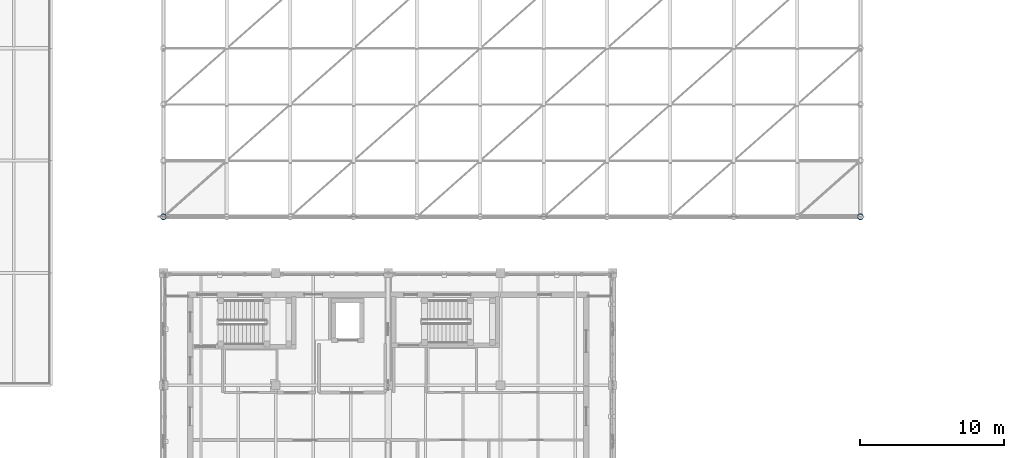
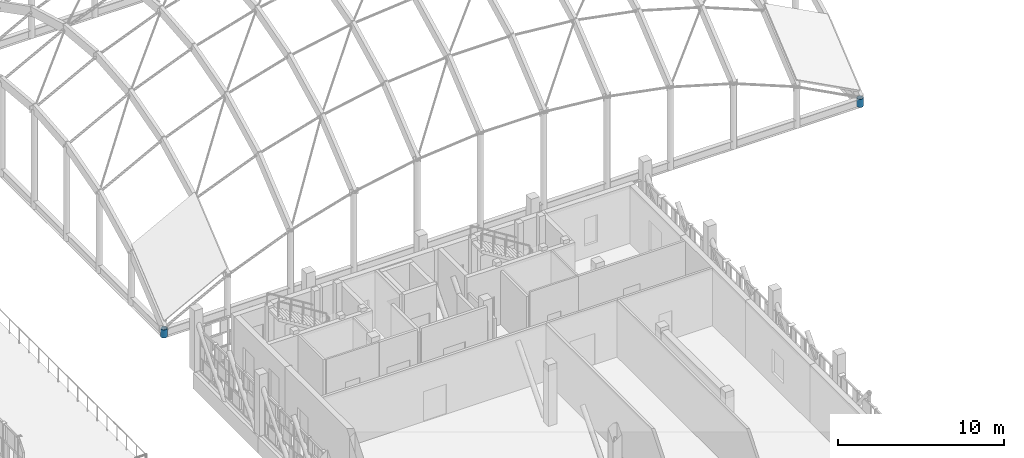
# One storey, part 13 of 119: 2 columns.
"""IFC4 building model written with IfcOpenShell, lengths in metres."""

from ifc_helpers import new_model, si_unit, direction, frame, origin, origin_2d, place, context, subcontext, project, spatial, hollow_circle, extrude, material, material_profile, profile_set, type_object, element, save


model = new_model("IFC4")

# Units and contexts
model_context = context("Model", 3, precision=1e-05, world=origin(), true_north=direction((0.0, 1.0)))
body_context = subcontext(model_context, "Body", "Model", "MODEL_VIEW")
ifc_project = project(units=[si_unit("LENGTHUNIT", "METRE"), si_unit("AREAUNIT", "SQUARE_METRE"), si_unit("VOLUMEUNIT", "CUBIC_METRE"), si_unit("PLANEANGLEUNIT", "RADIAN"), si_unit("MASSUNIT", "GRAM", prefix="KILO")], contexts=[model_context])

# Site, building, storey
site_placement = place(None, origin())
site = spatial("IfcSite", under=ifc_project, at=site_placement, CompositionType="ELEMENT")
building_placement = place(site_placement, origin())
building = spatial("IfcBuilding", under=site, at=building_placement, Name="Celorna Specialist Clinic", CompositionType="ELEMENT")
storey_placement = place(building_placement, frame((0.0, 0.0, 9.60009765625)))
storey = spatial("IfcBuildingStorey", under=building, at=storey_placement, Name="L02", CompositionType="ELEMENT", Elevation=9.60009765625)

# Columns
ifc_material = material(Name="Steel S355", Category="steel")
ifc_material_profile = material_profile(ifc_material, hollow_circle(Radius=0.203125, WallThickness=0.01611328125, at=origin_2d()), Name="CHS 406.4x16")
ifc_profile_set = profile_set([ifc_material_profile], Name="Steel S355")
column_type = type_object("IfcColumnType", Name="CT-12", PredefinedType="COLUMN", material=ifc_profile_set)
for number, where, z_axis, x_axis, name in (
    (1, (54.60009765625, 46.800048828125, 0.0), (0.0, 0.0, 1.0), (1.0, 0.0, 0.0), "Column CT-12 L02 X08/YJ"),
    (2, (103.0, 46.800048828125, 0.0), (0.0, 0.0, 1.0), (1.0, 0.0, 0.0), "Column CT-12 L02 X14A/YJ"),
):
    element("IfcColumn", number, at=place(storey_placement, frame(where, z_axis=z_axis, x_axis=x_axis)), inside=storey, type_object=column_type, Name=name, PredefinedType="COLUMN", context=body_context, shape_type="SweptSolid", body=[
        extrude(hollow_circle(Radius=0.203125, WallThickness=0.01611328125, at=origin_2d()), origin(), (0.0, 0.0, 1.0), 0.599853515625),
    ])

save(model, "model.ifc")
